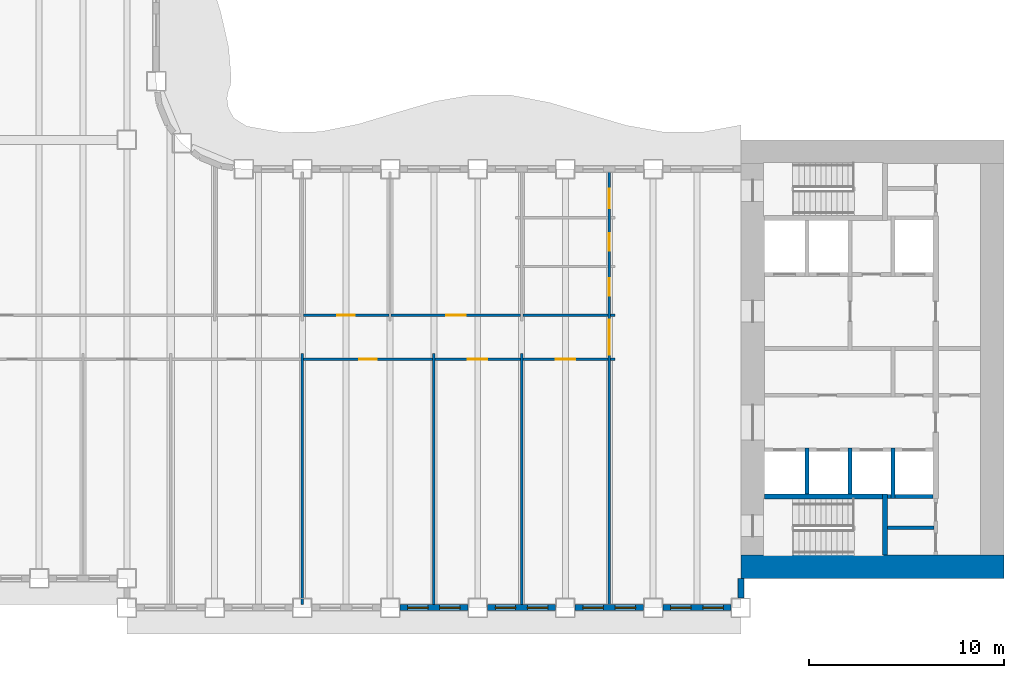
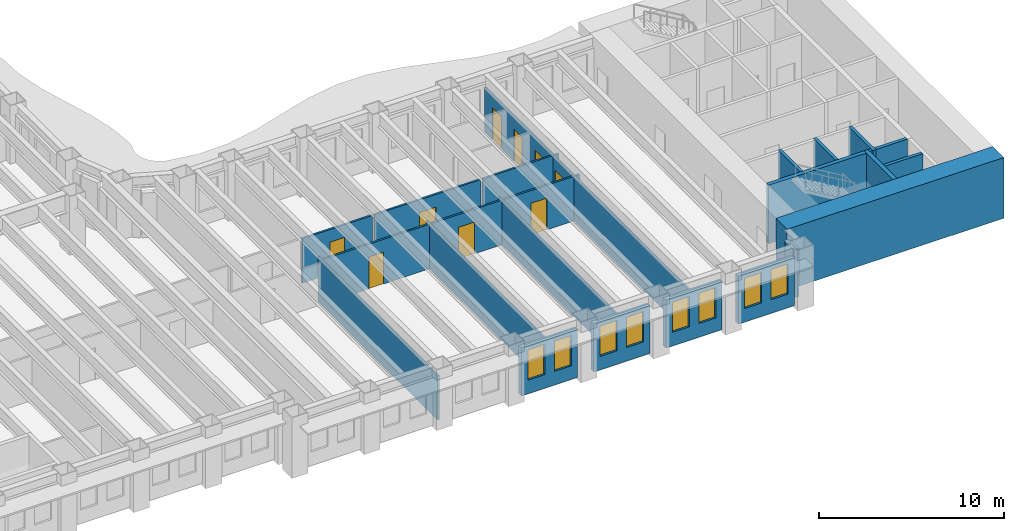
# One storey, part 5 of 16: 26 walls, 9 doors, 8 windows, 17 openings.
"""IFC4 building model written with IfcOpenShell, lengths in metres."""

from ifc_helpers import new_model, si_unit, direction, frame, frame_2d, origin, place, context, subcontext, project, spatial, rectangle, extrude, material, layer, layer_set, type_object, element, fill, save


model = new_model("IFC4")

# Units and contexts
model_context = context("Model", 3, precision=1e-05, world=origin(), true_north=direction((0.0, 1.0)))
body_context = subcontext(model_context, "Body", "Model", "MODEL_VIEW")
ifc_project = project(units=[si_unit("LENGTHUNIT", "METRE"), si_unit("AREAUNIT", "SQUARE_METRE"), si_unit("VOLUMEUNIT", "CUBIC_METRE"), si_unit("PLANEANGLEUNIT", "RADIAN"), si_unit("MASSUNIT", "GRAM", prefix="KILO")], contexts=[model_context])

# Site, building, storey
site_placement = place(None, origin())
site = spatial("IfcSite", under=ifc_project, at=site_placement, CompositionType="ELEMENT")
building_placement = place(site_placement, origin())
building = spatial("IfcBuilding", under=site, at=building_placement, Name="Sennacour Bend Tower", CompositionType="ELEMENT")
storey_placement = place(building_placement, frame((0.0, 0.0, 123.0)))
storey = spatial("IfcBuildingStorey", under=building, at=storey_placement, Name="L28", CompositionType="ELEMENT", Elevation=123.0)

# Walls
ifc_material_1 = material(Name="Concrete C80/95", Category="concrete")
ifc_layer_1 = layer(ifc_material_1, 1.199951171875, Name="Concrete C80/95", Category="concrete")
ifc_layer_set_1 = layer_set([ifc_layer_1], Name="Concrete C80/95")
wall_type_1 = type_object("IfcWallType", Name="Core wall 1200 C80/95", PredefinedType="SHEAR", material=ifc_layer_set_1)
wall_1_placement = place(storey_placement, frame((67.5, 0.60009765625, -0.14990234375), z_axis=(0.0, 0.0, 1.0), x_axis=(-1.0, 0.0, 0.0)))
element("IfcWall", 1, at=wall_1_placement, inside=storey, type_object=wall_type_1, Name="Core A wall L28 S", PredefinedType="SHEAR", context=body_context, shape_type="SweptSolid", body=[
    extrude(rectangle(XDim=13.5, YDim=1.199951171875, at=frame_2d((6.75, 0.0))), origin(), (0.0, 0.0, 1.0), 4.0),
])
ifc_material_2 = material(Name="Plasterboard partition on steel studs", Category="steel")
ifc_layer_2 = layer(ifc_material_2, 0.1201171875, Name="Plasterboard partition on steel studs", Category="steel")
ifc_layer_set_2 = layer_set([ifc_layer_2], Name="Plasterboard partition on steel studs")
wall_type_2 = type_object("IfcWallType", Name="Partition 120", PredefinedType="PARTITIONING", material=ifc_layer_set_2)
for number, where, z_axis, x_axis, name in (
    (2, (31.5, -1.35009765625, 0.0), (0.0, 0.0, 1.0), (0.0, 1.0, 0.0), "P-L28-W027a"),
    (3, (38.25, -1.35009765625, 0.0), (0.0, 0.0, 1.0), (0.0, 1.0, 0.0), "P-L28-W030a"),
    (4, (42.75, -1.35009765625, 0.0), (0.0, 0.0, 1.0), (0.0, 1.0, 0.0), "P-L28-W031a"),
):
    element("IfcWall", number, at=place(storey_placement, frame(where, z_axis=z_axis, x_axis=x_axis)), inside=storey, type_object=wall_type_2, Name=name, PredefinedType="PARTITIONING", context=body_context, shape_type="SweptSolid", body=[
        extrude(rectangle(XDim=12.900146484375, YDim=0.1201171875, at=frame_2d((6.4501953125, 0.0))), origin(), (0.0, 0.0, 1.0), 2.93798828125),
    ])

# Wall, opening, door
wall_2_placement = place(storey_placement, frame((38.31005859375, 11.25, 0.0), z_axis=(0.0, 0.0, 1.0), x_axis=(1.0, 0.0, 0.0)))
wall_2 = element("IfcWall", 5, at=wall_2_placement, inside=storey, type_object=wall_type_2, Name="P-L28-W058af", PredefinedType="PARTITIONING", context=body_context, shape_type="SweptSolid", body=[
    extrude(rectangle(XDim=4.3798828125, YDim=0.1201171875, at=frame_2d((2.18994140625, 0.0))), origin(), (0.0, 0.0, 1.0), 2.93798828125),
])
opening_1_placement = place(wall_2_placement, frame((1.68994140625, 0.0, 0.0)))
opening_1 = element("IfcOpeningElement", 6, at=opening_1_placement, cuts=wall_2, Name="Opening MD2", PredefinedType="OPENING", context=body_context, shape_type="SweptSolid", body=[
    extrude(rectangle(XDim=1.0, YDim=2.10009765625, at=frame_2d((0.5, 1.050048828125))), frame((0.0, 0.070068359375, 0.0), z_axis=(0.0, -1.0, 0.0), x_axis=(1.0, 0.0, 0.0)), (0.0, 0.0, 1.0), 0.14013671875),
])
ifc_material_3 = material(Name="Timber", Category="wood")
door_type_1 = type_object("IfcDoorType", Name="DR-MEETING-1000", OperationType="NOTDEFINED", PredefinedType="DOOR", material=ifc_material_3)
door_1_placement = place(opening_1_placement, origin())
door_1 = element("IfcDoor", 7, at=door_1_placement, inside=storey, type_object=door_type_1, Name="Door", OperationType="SINGLE_SWING_LEFT", OverallHeight=2.10009765625, OverallWidth=1.0, PredefinedType="DOOR", context=body_context, shape_type="SweptSolid", body=[
    extrude(rectangle(XDim=1.0, YDim=2.10009765625, at=frame_2d((0.5, 1.050048828125))), frame((0.0, 0.02490234375, 0.0), z_axis=(0.0, -1.0, 0.0), x_axis=(1.0, 0.0, 0.0)), (0.0, 0.0, 1.0), 0.050048828125),
])
fill(opening_1, door_1)

wall_3_placement = place(storey_placement, frame((42.81005859375, 11.25, 0.0), z_axis=(0.0, 0.0, 1.0), x_axis=(1.0, 0.0, 0.0)))
wall_3 = element("IfcWall", 8, at=wall_3_placement, inside=storey, type_object=wall_type_2, Name="P-L28-W058ag", PredefinedType="PARTITIONING", context=body_context, shape_type="SweptSolid", body=[
    extrude(rectangle(XDim=4.3798828125, YDim=0.1201171875, at=frame_2d((2.18994140625, 0.0))), origin(), (0.0, 0.0, 1.0), 2.93798828125),
])
opening_2_placement = place(wall_3_placement, frame((1.68994140625, 0.0, 0.0)))
opening_2 = element("IfcOpeningElement", 9, at=opening_2_placement, cuts=wall_3, Name="Opening OD2", PredefinedType="OPENING", context=body_context, shape_type="SweptSolid", body=[
    extrude(rectangle(XDim=1.0, YDim=2.10009765625, at=frame_2d((0.5, 1.050048828125))), frame((0.0, 0.070068359375, 0.0), z_axis=(0.0, -1.0, 0.0), x_axis=(1.0, 0.0, 0.0)), (0.0, 0.0, 1.0), 0.14013671875),
])
door_type_2 = type_object("IfcDoorType", Name="DR-OFFICE-1000", OperationType="NOTDEFINED", PredefinedType="DOOR", material=ifc_material_3)
door_2_placement = place(opening_2_placement, origin())
door_2 = element("IfcDoor", 10, at=door_2_placement, inside=storey, type_object=door_type_2, Name="Door", OperationType="SINGLE_SWING_LEFT", OverallHeight=2.10009765625, OverallWidth=1.0, PredefinedType="DOOR", context=body_context, shape_type="SweptSolid", body=[
    extrude(rectangle(XDim=1.0, YDim=2.10009765625, at=frame_2d((0.5, 1.050048828125))), frame((0.0, 0.02490234375, 0.0), z_axis=(0.0, -1.0, 0.0), x_axis=(1.0, 0.0, 0.0)), (0.0, 0.0, 1.0), 0.050048828125),
])
fill(opening_2, door_2)

# Wall
wall_4_placement = place(storey_placement, frame((47.31005859375, 11.25, 0.0), z_axis=(0.0, 0.0, 1.0), x_axis=(1.0, 0.0, 0.0)))
element("IfcWall", 11, at=wall_4_placement, inside=storey, type_object=wall_type_2, Name="P-L28-W058ah", PredefinedType="PARTITIONING", context=body_context, shape_type="SweptSolid", body=[
    extrude(rectangle(XDim=0.239990234375, YDim=0.1201171875, at=frame_2d((0.1201171875, 0.0))), origin(), (0.0, 0.0, 1.0), 2.93798828125),
])

# Wall, opening, door
wall_5_placement = place(storey_placement, frame((36.06005859375, 13.5, 0.0), z_axis=(0.0, 0.0, 1.0), x_axis=(1.0, 0.0, 0.0)))
wall_5 = element("IfcWall", 12, at=wall_5_placement, inside=storey, type_object=wall_type_2, Name="P-L28-W060af", PredefinedType="PARTITIONING", context=body_context, shape_type="SweptSolid", body=[
    extrude(rectangle(XDim=6.6298828125, YDim=0.1201171875, at=frame_2d((3.31494140625, 0.0))), origin(), (0.0, 0.0, 1.0), 2.93798828125),
])
opening_3_placement = place(wall_5_placement, frame((2.81494140625, 0.0, 0.0)))
opening_3 = element("IfcOpeningElement", 13, at=opening_3_placement, cuts=wall_5, Name="Opening OD2", PredefinedType="OPENING", context=body_context, shape_type="SweptSolid", body=[
    extrude(rectangle(XDim=1.0, YDim=2.10009765625, at=frame_2d((0.5, 1.050048828125))), frame((0.0, 0.070068359375, 0.0), z_axis=(0.0, -1.0, 0.0), x_axis=(1.0, 0.0, 0.0)), (0.0, 0.0, 1.0), 0.14013671875),
])
door_3_placement = place(opening_3_placement, origin())
door_3 = element("IfcDoor", 14, at=door_3_placement, inside=storey, type_object=door_type_2, Name="Door", OperationType="SINGLE_SWING_LEFT", OverallHeight=2.10009765625, OverallWidth=1.0, PredefinedType="DOOR", context=body_context, shape_type="SweptSolid", body=[
    extrude(rectangle(XDim=1.0, YDim=2.10009765625, at=frame_2d((0.5, 1.050048828125))), frame((0.0, 0.02490234375, 0.0), z_axis=(0.0, -1.0, 0.0), x_axis=(1.0, 0.0, 0.0)), (0.0, 0.0, 1.0), 0.050048828125),
])
fill(opening_3, door_3)

# Walls
wall_6_placement = place(storey_placement, frame((42.81005859375, 13.5, 0.0), z_axis=(0.0, 0.0, 1.0), x_axis=(1.0, 0.0, 0.0)))
element("IfcWall", 15, at=wall_6_placement, inside=storey, type_object=wall_type_2, Name="P-L28-W060ag", PredefinedType="PARTITIONING", context=body_context, shape_type="SweptSolid", body=[
    extrude(rectangle(XDim=4.3798828125, YDim=0.1201171875, at=frame_2d((2.18994140625, 0.0))), origin(), (0.0, 0.0, 1.0), 2.93798828125),
])
wall_7_placement = place(storey_placement, frame((47.31005859375, 13.5, 0.0), z_axis=(0.0, 0.0, 1.0), x_axis=(1.0, 0.0, 0.0)))
element("IfcWall", 16, at=wall_7_placement, inside=storey, type_object=wall_type_2, Name="P-L28-W060ah", PredefinedType="PARTITIONING", context=body_context, shape_type="SweptSolid", body=[
    extrude(rectangle(XDim=0.239990234375, YDim=0.1201171875, at=frame_2d((0.1201171875, 0.0))), origin(), (0.0, 0.0, 1.0), 2.93798828125),
])

# Wall, openings, doors
ifc_layer_3 = layer(ifc_material_2, 0.1201171875, Name="Plasterboard partition on steel studs", Category="steel")
ifc_layer_set_3 = layer_set([ifc_layer_3], Name="Plasterboard partition on steel studs")
wall_type_3 = type_object("IfcWallType", Name="Partition 120 EI 30", PredefinedType="PARTITIONING", material=ifc_layer_set_3)
wall_8_placement = place(storey_placement, frame((47.25, -1.35009765625, 0.0), z_axis=(0.0, 0.0, 1.0), x_axis=(0.0, 1.0, 0.0)))
wall_8 = element("IfcWall", 17, at=wall_8_placement, inside=storey, type_object=wall_type_3, Name="P-L28-W033a", PredefinedType="PARTITIONING", context=body_context, shape_type="SweptSolid", body=[
    extrude(rectangle(XDim=22.2001953125, YDim=0.1201171875, at=frame_2d((11.10009765625, 0.0))), origin(), (0.0, 0.0, 1.0), 2.93798828125),
])
opening_4_placement = place(wall_8_placement, frame((12.8251953125, 0.0, 0.0)))
opening_4 = element("IfcOpeningElement", 18, at=opening_4_placement, cuts=wall_8, Name="Opening KD3", PredefinedType="OPENING", context=body_context, shape_type="SweptSolid", body=[
    extrude(rectangle(XDim=1.800048828125, YDim=2.10009765625, at=frame_2d((0.89990234375, 1.050048828125))), frame((0.0, 0.070068359375, 0.0), z_axis=(0.0, -1.0, 0.0), x_axis=(1.0, 0.0, 0.0)), (0.0, 0.0, 1.0), 0.14013671875),
])
opening_5_placement = place(wall_8_placement, frame((15.85009765625, 0.0, 0.0)))
opening_5 = element("IfcOpeningElement", 19, at=opening_5_placement, cuts=wall_8, Name="Opening WD", PredefinedType="OPENING", context=body_context, shape_type="SweptSolid", body=[
    extrude(rectangle(XDim=0.89990234375, YDim=2.10009765625, at=frame_2d((0.449951171875, 1.050048828125))), frame((0.0, 0.070068359375, 0.0), z_axis=(0.0, -1.0, 0.0), x_axis=(1.0, 0.0, 0.0)), (0.0, 0.0, 1.0), 0.14013671875),
])
opening_6_placement = place(wall_8_placement, frame((18.150146484375, 0.0, 0.0)))
opening_6 = element("IfcOpeningElement", 20, at=opening_6_placement, cuts=wall_8, Name="Opening WD", PredefinedType="OPENING", context=body_context, shape_type="SweptSolid", body=[
    extrude(rectangle(XDim=0.89990234375, YDim=2.10009765625, at=frame_2d((0.449951171875, 1.050048828125))), frame((0.0, 0.070068359375, 0.0), z_axis=(0.0, -1.0, 0.0), x_axis=(1.0, 0.0, 0.0)), (0.0, 0.0, 1.0), 0.14013671875),
])
opening_7_placement = place(wall_8_placement, frame((20.35009765625, 0.0, 0.0)))
opening_7 = element("IfcOpeningElement", 21, at=opening_7_placement, cuts=wall_8, Name="Opening AD", PredefinedType="OPENING", context=body_context, shape_type="SweptSolid", body=[
    extrude(rectangle(XDim=1.0, YDim=2.10009765625, at=frame_2d((0.5, 1.050048828125))), frame((0.0, 0.070068359375, 0.0), z_axis=(0.0, -1.0, 0.0), x_axis=(1.0, 0.0, 0.0)), (0.0, 0.0, 1.0), 0.14013671875),
])
door_type_3 = type_object("IfcDoorType", Name="DR-ACC-WC-1000", OperationType="NOTDEFINED", PredefinedType="DOOR", material=ifc_material_3)
door_4_placement = place(opening_7_placement, origin())
door_4 = element("IfcDoor", 22, at=door_4_placement, inside=storey, type_object=door_type_3, Name="Door", OperationType="SINGLE_SWING_RIGHT", OverallHeight=2.10009765625, OverallWidth=1.0, PredefinedType="DOOR", context=body_context, shape_type="SweptSolid", body=[
    extrude(rectangle(XDim=1.0, YDim=2.10009765625, at=frame_2d((0.5, 1.050048828125))), frame((0.0, 0.02490234375, 0.0), z_axis=(0.0, -1.0, 0.0), x_axis=(1.0, 0.0, 0.0)), (0.0, 0.0, 1.0), 0.050048828125),
])
fill(opening_7, door_4)
ifc_material_4 = material(Name="Painted steel", Category="steel")
door_type_4 = type_object("IfcDoorType", Name="DR-CORRIDOR-1800", OperationType="NOTDEFINED", PredefinedType="DOOR", material=ifc_material_4)
door_5_placement = place(opening_4_placement, origin())
door_5 = element("IfcDoor", 23, at=door_5_placement, inside=storey, type_object=door_type_4, Name="Door", OperationType="DOUBLE_DOOR_SINGLE_SWING", OverallHeight=2.10009765625, OverallWidth=1.800048828125, PredefinedType="DOOR", context=body_context, shape_type="SweptSolid", body=[
    extrude(rectangle(XDim=1.800048828125, YDim=2.10009765625, at=frame_2d((0.89990234375, 1.050048828125))), frame((0.0, 0.02490234375, 0.0), z_axis=(0.0, -1.0, 0.0), x_axis=(1.0, 0.0, 0.0)), (0.0, 0.0, 1.0), 0.050048828125),
])
fill(opening_4, door_5)
door_type_5 = type_object("IfcDoorType", Name="DR-WC-900", OperationType="NOTDEFINED", PredefinedType="DOOR", material=ifc_material_3)
door_6_placement = place(opening_5_placement, origin())
door_6 = element("IfcDoor", 24, at=door_6_placement, inside=storey, type_object=door_type_5, Name="Door", OperationType="SINGLE_SWING_RIGHT", OverallHeight=2.10009765625, OverallWidth=0.89990234375, PredefinedType="DOOR", context=body_context, shape_type="SweptSolid", body=[
    extrude(rectangle(XDim=0.89990234375, YDim=2.10009765625, at=frame_2d((0.449951171875, 1.050048828125))), frame((0.0, 0.02490234375, 0.0), z_axis=(0.0, -1.0, 0.0), x_axis=(1.0, 0.0, 0.0)), (0.0, 0.0, 1.0), 0.050048828125),
])
fill(opening_5, door_6)
door_7_placement = place(opening_6_placement, origin())
door_7 = element("IfcDoor", 25, at=door_7_placement, inside=storey, type_object=door_type_5, Name="Door", OperationType="SINGLE_SWING_RIGHT", OverallHeight=2.10009765625, OverallWidth=0.89990234375, PredefinedType="DOOR", context=body_context, shape_type="SweptSolid", body=[
    extrude(rectangle(XDim=0.89990234375, YDim=2.10009765625, at=frame_2d((0.449951171875, 1.050048828125))), frame((0.0, 0.02490234375, 0.0), z_axis=(0.0, -1.0, 0.0), x_axis=(1.0, 0.0, 0.0)), (0.0, 0.0, 1.0), 0.050048828125),
])
fill(opening_6, door_7)

# Wall, opening, door
ifc_layer_4 = layer(ifc_material_2, 0.1201171875, Name="Plasterboard partition on steel studs", Category="steel")
ifc_layer_set_4 = layer_set([ifc_layer_4], Name="Plasterboard partition on steel studs")
wall_type_4 = type_object("IfcWallType", Name="Partition 120 EI 60", PredefinedType="PARTITIONING", material=ifc_layer_set_4)
wall_9_placement = place(storey_placement, frame((31.56005859375, 11.25, 0.0), z_axis=(0.0, 0.0, 1.0), x_axis=(1.0, 0.0, 0.0)))
wall_9 = element("IfcWall", 26, at=wall_9_placement, inside=storey, type_object=wall_type_4, Name="P-L28-W058ae", PredefinedType="PARTITIONING", context=body_context, shape_type="SweptSolid", body=[
    extrude(rectangle(XDim=6.6298828125, YDim=0.1201171875, at=frame_2d((3.31494140625, 0.0))), origin(), (0.0, 0.0, 1.0), 2.93798828125),
])
opening_8_placement = place(wall_9_placement, frame((2.864990234375, 0.0, 0.0)))
opening_8 = element("IfcOpeningElement", 27, at=opening_8_placement, cuts=wall_9, Name="Opening SV", PredefinedType="OPENING", context=body_context, shape_type="SweptSolid", body=[
    extrude(rectangle(XDim=0.89990234375, YDim=2.10009765625, at=frame_2d((0.449951171875, 1.050048828125))), frame((0.0, 0.070068359375, 0.0), z_axis=(0.0, -1.0, 0.0), x_axis=(1.0, 0.0, 0.0)), (0.0, 0.0, 1.0), 0.14013671875),
])
door_type_6 = type_object("IfcDoorType", Name="DR-SERVICE-900", OperationType="NOTDEFINED", PredefinedType="DOOR", material=ifc_material_4)
door_8_placement = place(opening_8_placement, origin())
door_8 = element("IfcDoor", 28, at=door_8_placement, inside=storey, type_object=door_type_6, Name="Door", OperationType="SINGLE_SWING_LEFT", OverallHeight=2.10009765625, OverallWidth=0.89990234375, PredefinedType="DOOR", context=body_context, shape_type="SweptSolid", body=[
    extrude(rectangle(XDim=0.89990234375, YDim=2.10009765625, at=frame_2d((0.449951171875, 1.050048828125))), frame((0.0, 0.02490234375, 0.0), z_axis=(0.0, -1.0, 0.0), x_axis=(1.0, 0.0, 0.0)), (0.0, 0.0, 1.0), 0.050048828125),
])
fill(opening_8, door_8)

wall_10_placement = place(storey_placement, frame((31.56005859375, 13.5, 0.0), z_axis=(0.0, 0.0, 1.0), x_axis=(1.0, 0.0, 0.0)))
wall_10 = element("IfcWall", 29, at=wall_10_placement, inside=storey, type_object=wall_type_4, Name="P-L28-W060ae", PredefinedType="PARTITIONING", context=body_context, shape_type="SweptSolid", body=[
    extrude(rectangle(XDim=4.3798828125, YDim=0.1201171875, at=frame_2d((2.18994140625, 0.0))), origin(), (0.0, 0.0, 1.0), 2.93798828125),
])
opening_9_placement = place(wall_10_placement, frame((1.739990234375, 0.0, 0.0)))
opening_9 = element("IfcOpeningElement", 30, at=opening_9_placement, cuts=wall_10, Name="Opening SV", PredefinedType="OPENING", context=body_context, shape_type="SweptSolid", body=[
    extrude(rectangle(XDim=0.89990234375, YDim=2.10009765625, at=frame_2d((0.449951171875, 1.050048828125))), frame((0.0, 0.070068359375, 0.0), z_axis=(0.0, -1.0, 0.0), x_axis=(1.0, 0.0, 0.0)), (0.0, 0.0, 1.0), 0.14013671875),
])
door_9_placement = place(opening_9_placement, origin())
door_9 = element("IfcDoor", 31, at=door_9_placement, inside=storey, type_object=door_type_6, Name="Door", OperationType="SINGLE_SWING_LEFT", OverallHeight=2.10009765625, OverallWidth=0.89990234375, PredefinedType="DOOR", context=body_context, shape_type="SweptSolid", body=[
    extrude(rectangle(XDim=0.89990234375, YDim=2.10009765625, at=frame_2d((0.449951171875, 1.050048828125))), frame((0.0, 0.02490234375, 0.0), z_axis=(0.0, -1.0, 0.0), x_axis=(1.0, 0.0, 0.0)), (0.0, 0.0, 1.0), 0.050048828125),
])
fill(opening_9, door_9)

# Wall
ifc_material_5 = material(Name="Fire-rated plasterboard partition on steel studs", Category="steel")
ifc_layer_5 = layer(ifc_material_5, 0.199951171875, Name="Fire-rated plasterboard partition on steel studs", Category="steel")
ifc_layer_set_5 = layer_set([ifc_layer_5], Name="Fire-rated plasterboard partition on steel studs")
wall_type_5 = type_object("IfcWallType", Name="Rated partition 200", PredefinedType="PARTITIONING", material=ifc_layer_set_5)
wall_11_placement = place(storey_placement, frame((61.52490234375, 2.60009765625, 0.0), z_axis=(0.0, 0.0, 1.0), x_axis=(1.0, 0.0, 0.0)))
element("IfcWall", 32, at=wall_11_placement, inside=storey, type_object=wall_type_5, Name="P-L28-W050", PredefinedType="PARTITIONING", context=body_context, shape_type="SweptSolid", body=[
    extrude(rectangle(XDim=2.375, YDim=0.199951171875, at=frame_2d((1.1875, 0.0))), origin(), (0.0, 0.0, 1.0), 3.85009765625),
])

# Wall, openings, windows
ifc_material_6 = material(Name="Warm limestone cladding", Category="masonry")
ifc_layer_6 = layer(ifc_material_6, 0.050048828125, Name="Warm limestone cladding", Category="masonry")
ifc_material_7 = material(Name="Precast concrete C40/50", Category="concrete")
ifc_layer_7 = layer(ifc_material_7, 0.25, Name="Precast concrete C40/50", Category="concrete")
ifc_layer_set_6 = layer_set([ifc_layer_6, ifc_layer_7], Name="Precast concrete C40/50 with limestone cladding")
wall_type_6 = type_object("IfcWallType", Name="STONE-CLAD PRECAST SPANDREL 300", PredefinedType="STANDARD", material=ifc_layer_set_6)
wall_12_placement = place(storey_placement, frame((36.5, -1.5, 0.0), z_axis=(0.0, 0.0, 1.0), x_axis=(1.0, 0.0, 0.0)))
wall_12 = element("IfcWall", 33, at=wall_12_placement, inside=storey, type_object=wall_type_6, Name="Stone spandrel and pier wall L28 00.03", PredefinedType="STANDARD", context=body_context, shape_type="SweptSolid", body=[
    extrude(rectangle(XDim=3.5, YDim=0.300048828125, at=frame_2d((1.75, 0.0))), origin(), (0.0, 0.0, 1.0), 3.154052734375),
])
opening_10_placement = place(wall_12_placement, frame((0.39990234375, 0.0, 0.89990234375)))
opening_10 = element("IfcOpeningElement", 34, at=opening_10_placement, cuts=wall_12, Name="Opening W13", PredefinedType="OPENING", context=body_context, shape_type="SweptSolid", body=[
    extrude(rectangle(XDim=1.050048828125, YDim=2.0, at=frame_2d((0.52490234375, 1.0))), frame((0.0, 0.16015625, 0.0), z_axis=(0.0, -1.0, 0.0), x_axis=(1.0, 0.0, 0.0)), (0.0, 0.0, 1.0), 0.320068359375),
])
opening_11_placement = place(wall_12_placement, frame((2.050048828125, 0.0, 0.89990234375)))
opening_11 = element("IfcOpeningElement", 35, at=opening_11_placement, cuts=wall_12, Name="Opening W13", PredefinedType="OPENING", context=body_context, shape_type="SweptSolid", body=[
    extrude(rectangle(XDim=1.050048828125, YDim=2.0, at=frame_2d((0.52490234375, 1.0))), frame((0.0, 0.16015625, 0.0), z_axis=(0.0, -1.0, 0.0), x_axis=(1.0, 0.0, 0.0)), (0.0, 0.0, 1.0), 0.320068359375),
])
ifc_material_8 = material(Name="Clear low-emissivity glass", Category="glass")
window_type = type_object("IfcWindowType", Name="WIN-RIBBON-1050x2000", PartitioningType="SINGLE_PANEL", PredefinedType="WINDOW", material=ifc_material_8)
window_1_placement = place(opening_10_placement, origin())
window_1 = element("IfcWindow", 36, at=window_1_placement, inside=storey, type_object=window_type, Name="Ribbon window L28 00.03.0", OverallHeight=2.0, OverallWidth=1.050048828125, PartitioningType="SINGLE_PANEL", PredefinedType="WINDOW", context=body_context, shape_type="SweptSolid", body=[
    extrude(rectangle(XDim=1.050048828125, YDim=2.0, at=frame_2d((0.52490234375, 1.0))), frame((0.0, 0.030029296875, 0.0), z_axis=(0.0, -1.0, 0.0), x_axis=(1.0, 0.0, 0.0)), (0.0, 0.0, 1.0), 0.06005859375),
])
fill(opening_10, window_1)
window_2_placement = place(opening_11_placement, origin())
window_2 = element("IfcWindow", 37, at=window_2_placement, inside=storey, type_object=window_type, Name="Ribbon window L28 00.03.1", OverallHeight=2.0, OverallWidth=1.050048828125, PartitioningType="SINGLE_PANEL", PredefinedType="WINDOW", context=body_context, shape_type="SweptSolid", body=[
    extrude(rectangle(XDim=1.050048828125, YDim=2.0, at=frame_2d((0.52490234375, 1.0))), frame((0.0, 0.030029296875, 0.0), z_axis=(0.0, -1.0, 0.0), x_axis=(1.0, 0.0, 0.0)), (0.0, 0.0, 1.0), 0.06005859375),
])
fill(opening_11, window_2)

wall_13_placement = place(storey_placement, frame((41.0, -1.5, 0.0), z_axis=(0.0, 0.0, 1.0), x_axis=(1.0, 0.0, 0.0)))
wall_13 = element("IfcWall", 38, at=wall_13_placement, inside=storey, type_object=wall_type_6, Name="Stone spandrel and pier wall L28 00.04", PredefinedType="STANDARD", context=body_context, shape_type="SweptSolid", body=[
    extrude(rectangle(XDim=3.5, YDim=0.300048828125, at=frame_2d((1.75, 0.0))), origin(), (0.0, 0.0, 1.0), 3.154052734375),
])
opening_12_placement = place(wall_13_placement, frame((0.39990234375, 0.0, 0.89990234375)))
opening_12 = element("IfcOpeningElement", 39, at=opening_12_placement, cuts=wall_13, Name="Opening W13", PredefinedType="OPENING", context=body_context, shape_type="SweptSolid", body=[
    extrude(rectangle(XDim=1.050048828125, YDim=2.0, at=frame_2d((0.52490234375, 1.0))), frame((0.0, 0.16015625, 0.0), z_axis=(0.0, -1.0, 0.0), x_axis=(1.0, 0.0, 0.0)), (0.0, 0.0, 1.0), 0.320068359375),
])
opening_13_placement = place(wall_13_placement, frame((2.050048828125, 0.0, 0.89990234375)))
opening_13 = element("IfcOpeningElement", 40, at=opening_13_placement, cuts=wall_13, Name="Opening W13", PredefinedType="OPENING", context=body_context, shape_type="SweptSolid", body=[
    extrude(rectangle(XDim=1.050048828125, YDim=2.0, at=frame_2d((0.52490234375, 1.0))), frame((0.0, 0.16015625, 0.0), z_axis=(0.0, -1.0, 0.0), x_axis=(1.0, 0.0, 0.0)), (0.0, 0.0, 1.0), 0.320068359375),
])
window_3_placement = place(opening_12_placement, origin())
window_3 = element("IfcWindow", 41, at=window_3_placement, inside=storey, type_object=window_type, Name="Ribbon window L28 00.04.0", OverallHeight=2.0, OverallWidth=1.050048828125, PartitioningType="SINGLE_PANEL", PredefinedType="WINDOW", context=body_context, shape_type="SweptSolid", body=[
    extrude(rectangle(XDim=1.050048828125, YDim=2.0, at=frame_2d((0.52490234375, 1.0))), frame((0.0, 0.030029296875, 0.0), z_axis=(0.0, -1.0, 0.0), x_axis=(1.0, 0.0, 0.0)), (0.0, 0.0, 1.0), 0.06005859375),
])
fill(opening_12, window_3)
window_4_placement = place(opening_13_placement, origin())
window_4 = element("IfcWindow", 42, at=window_4_placement, inside=storey, type_object=window_type, Name="Ribbon window L28 00.04.1", OverallHeight=2.0, OverallWidth=1.050048828125, PartitioningType="SINGLE_PANEL", PredefinedType="WINDOW", context=body_context, shape_type="SweptSolid", body=[
    extrude(rectangle(XDim=1.050048828125, YDim=2.0, at=frame_2d((0.52490234375, 1.0))), frame((0.0, 0.030029296875, 0.0), z_axis=(0.0, -1.0, 0.0), x_axis=(1.0, 0.0, 0.0)), (0.0, 0.0, 1.0), 0.06005859375),
])
fill(opening_13, window_4)

wall_14_placement = place(storey_placement, frame((45.5, -1.5, 0.0), z_axis=(0.0, 0.0, 1.0), x_axis=(1.0, 0.0, 0.0)))
wall_14 = element("IfcWall", 43, at=wall_14_placement, inside=storey, type_object=wall_type_6, Name="Stone spandrel and pier wall L28 00.05", PredefinedType="STANDARD", context=body_context, shape_type="SweptSolid", body=[
    extrude(rectangle(XDim=3.5, YDim=0.300048828125, at=frame_2d((1.75, 0.0))), origin(), (0.0, 0.0, 1.0), 3.154052734375),
])
opening_14_placement = place(wall_14_placement, frame((0.39990234375, 0.0, 0.89990234375)))
opening_14 = element("IfcOpeningElement", 44, at=opening_14_placement, cuts=wall_14, Name="Opening W13", PredefinedType="OPENING", context=body_context, shape_type="SweptSolid", body=[
    extrude(rectangle(XDim=1.050048828125, YDim=2.0, at=frame_2d((0.52490234375, 1.0))), frame((0.0, 0.16015625, 0.0), z_axis=(0.0, -1.0, 0.0), x_axis=(1.0, 0.0, 0.0)), (0.0, 0.0, 1.0), 0.320068359375),
])
opening_15_placement = place(wall_14_placement, frame((2.050048828125, 0.0, 0.89990234375)))
opening_15 = element("IfcOpeningElement", 45, at=opening_15_placement, cuts=wall_14, Name="Opening W13", PredefinedType="OPENING", context=body_context, shape_type="SweptSolid", body=[
    extrude(rectangle(XDim=1.050048828125, YDim=2.0, at=frame_2d((0.52490234375, 1.0))), frame((0.0, 0.16015625, 0.0), z_axis=(0.0, -1.0, 0.0), x_axis=(1.0, 0.0, 0.0)), (0.0, 0.0, 1.0), 0.320068359375),
])
window_5_placement = place(opening_14_placement, origin())
window_5 = element("IfcWindow", 46, at=window_5_placement, inside=storey, type_object=window_type, Name="Ribbon window L28 00.05.0", OverallHeight=2.0, OverallWidth=1.050048828125, PartitioningType="SINGLE_PANEL", PredefinedType="WINDOW", context=body_context, shape_type="SweptSolid", body=[
    extrude(rectangle(XDim=1.050048828125, YDim=2.0, at=frame_2d((0.52490234375, 1.0))), frame((0.0, 0.030029296875, 0.0), z_axis=(0.0, -1.0, 0.0), x_axis=(1.0, 0.0, 0.0)), (0.0, 0.0, 1.0), 0.06005859375),
])
fill(opening_14, window_5)
window_6_placement = place(opening_15_placement, origin())
window_6 = element("IfcWindow", 47, at=window_6_placement, inside=storey, type_object=window_type, Name="Ribbon window L28 00.05.1", OverallHeight=2.0, OverallWidth=1.050048828125, PartitioningType="SINGLE_PANEL", PredefinedType="WINDOW", context=body_context, shape_type="SweptSolid", body=[
    extrude(rectangle(XDim=1.050048828125, YDim=2.0, at=frame_2d((0.52490234375, 1.0))), frame((0.0, 0.030029296875, 0.0), z_axis=(0.0, -1.0, 0.0), x_axis=(1.0, 0.0, 0.0)), (0.0, 0.0, 1.0), 0.06005859375),
])
fill(opening_15, window_6)

wall_15_placement = place(storey_placement, frame((50.0, -1.5, 0.0), z_axis=(0.0, 0.0, 1.0), x_axis=(1.0, 0.0, 0.0)))
wall_15 = element("IfcWall", 48, at=wall_15_placement, inside=storey, type_object=wall_type_6, Name="Stone spandrel and pier wall L28 00.06", PredefinedType="STANDARD", context=body_context, shape_type="SweptSolid", body=[
    extrude(rectangle(XDim=3.5, YDim=0.300048828125, at=frame_2d((1.75, 0.0))), origin(), (0.0, 0.0, 1.0), 3.154052734375),
])
opening_16_placement = place(wall_15_placement, frame((0.39990234375, 0.0, 0.89990234375)))
opening_16 = element("IfcOpeningElement", 49, at=opening_16_placement, cuts=wall_15, Name="Opening W13", PredefinedType="OPENING", context=body_context, shape_type="SweptSolid", body=[
    extrude(rectangle(XDim=1.050048828125, YDim=2.0, at=frame_2d((0.52490234375, 1.0))), frame((0.0, 0.16015625, 0.0), z_axis=(0.0, -1.0, 0.0), x_axis=(1.0, 0.0, 0.0)), (0.0, 0.0, 1.0), 0.320068359375),
])
opening_17_placement = place(wall_15_placement, frame((2.050048828125, 0.0, 0.89990234375)))
opening_17 = element("IfcOpeningElement", 50, at=opening_17_placement, cuts=wall_15, Name="Opening W13", PredefinedType="OPENING", context=body_context, shape_type="SweptSolid", body=[
    extrude(rectangle(XDim=1.050048828125, YDim=2.0, at=frame_2d((0.52490234375, 1.0))), frame((0.0, 0.16015625, 0.0), z_axis=(0.0, -1.0, 0.0), x_axis=(1.0, 0.0, 0.0)), (0.0, 0.0, 1.0), 0.320068359375),
])
window_7_placement = place(opening_16_placement, origin())
window_7 = element("IfcWindow", 51, at=window_7_placement, inside=storey, type_object=window_type, Name="Ribbon window L28 00.06.0", OverallHeight=2.0, OverallWidth=1.050048828125, PartitioningType="SINGLE_PANEL", PredefinedType="WINDOW", context=body_context, shape_type="SweptSolid", body=[
    extrude(rectangle(XDim=1.050048828125, YDim=2.0, at=frame_2d((0.52490234375, 1.0))), frame((0.0, 0.030029296875, 0.0), z_axis=(0.0, -1.0, 0.0), x_axis=(1.0, 0.0, 0.0)), (0.0, 0.0, 1.0), 0.06005859375),
])
fill(opening_16, window_7)
window_8_placement = place(opening_17_placement, origin())
window_8 = element("IfcWindow", 52, at=window_8_placement, inside=storey, type_object=window_type, Name="Ribbon window L28 00.06.1", OverallHeight=2.0, OverallWidth=1.050048828125, PartitioningType="SINGLE_PANEL", PredefinedType="WINDOW", context=body_context, shape_type="SweptSolid", body=[
    extrude(rectangle(XDim=1.050048828125, YDim=2.0, at=frame_2d((0.52490234375, 1.0))), frame((0.0, 0.030029296875, 0.0), z_axis=(0.0, -1.0, 0.0), x_axis=(1.0, 0.0, 0.0)), (0.0, 0.0, 1.0), 0.06005859375),
])
fill(opening_17, window_8)

# Walls
wall_16_placement = place(storey_placement, frame((54.0, -1.0, 0.0), z_axis=(0.0, 0.0, 1.0), x_axis=(0.0, 1.0, 0.0)))
element("IfcWall", 53, at=wall_16_placement, inside=storey, type_object=wall_type_6, Name="Stone spandrel and pier wall L28 01.00", PredefinedType="STANDARD", context=body_context, shape_type="SweptSolid", body=[
    extrude(rectangle(XDim=1.0, YDim=0.300048828125, at=frame_2d((0.5, 0.0))), origin(), (0.0, 0.0, 1.0), 3.154052734375),
])
ifc_material_9 = material(Name="Concrete C50/60", Category="concrete")
ifc_layer_8 = layer(ifc_material_9, 0.199951171875, Name="Concrete C50/60", Category="concrete")
ifc_layer_set_7 = layer_set([ifc_layer_8], Name="Concrete C50/60")
wall_type_7 = type_object("IfcWallType", Name="Shaft wall 200", PredefinedType="SOLIDWALL", material=ifc_layer_set_7)
for number, where, z_axis, x_axis, name in (
    (54, (57.39990234375, 4.324951171875, 0.0), (0.0, 0.0, 1.0), (0.0, 1.0, 0.0), "P-L28-W035"),
    (55, (59.60009765625, 4.324951171875, 0.0), (0.0, 0.0, 1.0), (0.0, 1.0, 0.0), "P-L28-W037"),
):
    element("IfcWall", number, at=place(storey_placement, frame(where, z_axis=z_axis, x_axis=x_axis)), inside=storey, type_object=wall_type_7, Name=name, PredefinedType="SOLIDWALL", context=body_context, shape_type="SweptSolid", body=[
        extrude(rectangle(XDim=2.375, YDim=0.199951171875, at=frame_2d((1.1875, 0.0))), origin(), (0.0, 0.0, 1.0), 3.85009765625),
    ])
wall_17_placement = place(storey_placement, frame((61.800048828125, 4.10009765625, 0.0), z_axis=(0.0, 0.0, 1.0), x_axis=(0.0, 1.0, 0.0)))
element("IfcWall", 56, at=wall_17_placement, inside=storey, type_object=wall_type_7, Name="P-L28-W042", PredefinedType="SOLIDWALL", context=body_context, shape_type="SweptSolid", body=[
    extrude(rectangle(XDim=2.599853515625, YDim=0.199951171875, at=frame_2d((1.2998046875, 0.0))), origin(), (0.0, 0.0, 1.0), 3.85009765625),
])
wall_18_placement = place(storey_placement, frame((61.52490234375, 4.199951171875, 0.0), z_axis=(0.0, 0.0, 1.0), x_axis=(1.0, 0.0, 0.0)))
element("IfcWall", 57, at=wall_18_placement, inside=storey, type_object=wall_type_7, Name="P-L28-W055a", PredefinedType="SOLIDWALL", context=body_context, shape_type="SweptSolid", body=[
    extrude(rectangle(XDim=0.175048828125, YDim=0.199951171875, at=frame_2d((0.08740234375, 0.0))), origin(), (0.0, 0.0, 1.0), 3.85009765625),
])
wall_19_placement = place(storey_placement, frame((61.89990234375, 4.199951171875, 0.0), z_axis=(0.0, 0.0, 1.0), x_axis=(1.0, 0.0, 0.0)))
element("IfcWall", 58, at=wall_19_placement, inside=storey, type_object=wall_type_7, Name="P-L28-W055b", PredefinedType="SOLIDWALL", context=body_context, shape_type="SweptSolid", body=[
    extrude(rectangle(XDim=1.9501953125, YDim=0.199951171875, at=frame_2d((0.97509765625, 0.0))), origin(), (0.0, 0.0, 1.0), 3.85009765625),
])
ifc_material_10 = material(Name="Concrete C60/75", Category="concrete")
ifc_layer_9 = layer(ifc_material_10, 0.25, Name="Concrete C60/75", Category="concrete")
ifc_layer_set_8 = layer_set([ifc_layer_9], Name="Concrete C60/75")
wall_type_8 = type_object("IfcWallType", Name="Stair wall 250", PredefinedType="SHEAR", material=ifc_layer_set_8)
wall_20_placement = place(storey_placement, frame((61.39990234375, 1.199951171875, 0.0), z_axis=(0.0, 0.0, 1.0), x_axis=(0.0, 1.0, 0.0)))
element("IfcWall", 59, at=wall_20_placement, inside=storey, type_object=wall_type_8, Name="P-L28-W040", PredefinedType="SHEAR", context=body_context, shape_type="SweptSolid", body=[
    extrude(rectangle(XDim=3.125, YDim=0.25, at=frame_2d((1.5625, 0.0))), origin(), (0.0, 0.0, 1.0), 3.85009765625),
])
wall_21_placement = place(storey_placement, frame((55.199951171875, 4.199951171875, 0.0), z_axis=(0.0, 0.0, 1.0), x_axis=(1.0, 0.0, 0.0)))
element("IfcWall", 60, at=wall_21_placement, inside=storey, type_object=wall_type_8, Name="P-L28-W054", PredefinedType="SHEAR", context=body_context, shape_type="SweptSolid", body=[
    extrude(rectangle(XDim=6.074951171875, YDim=0.25, at=frame_2d((3.03759765625, 0.0))), origin(), (0.0, 0.0, 1.0), 3.85009765625),
])

save(model, "model.ifc")
